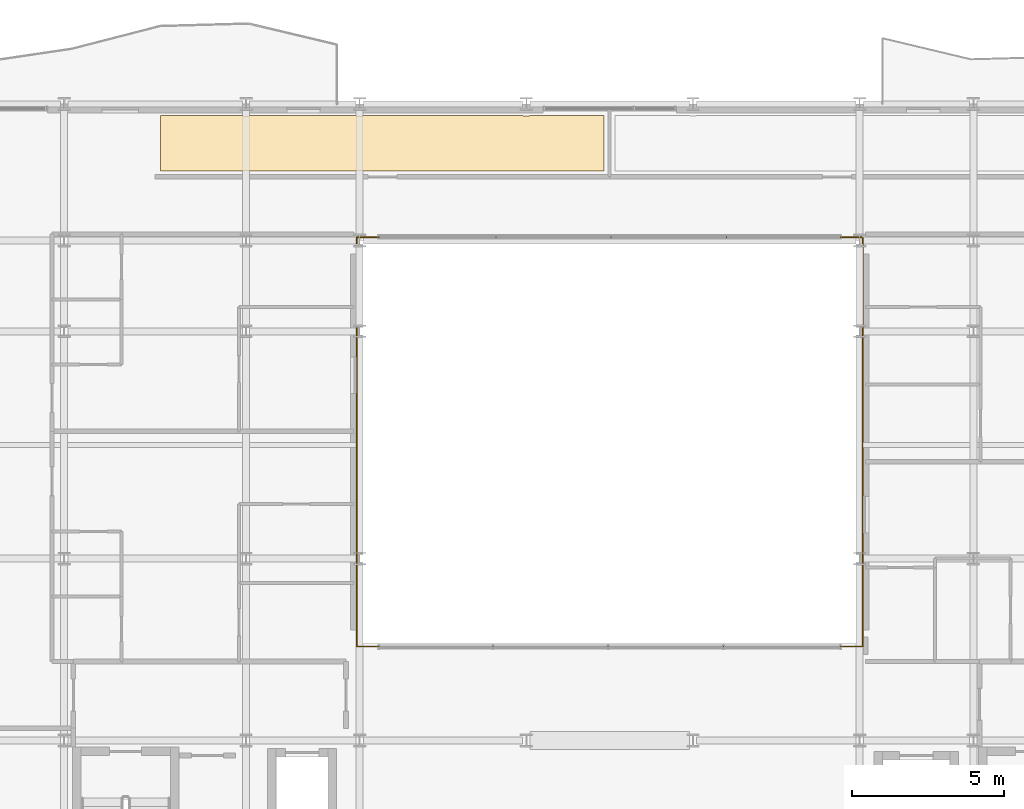
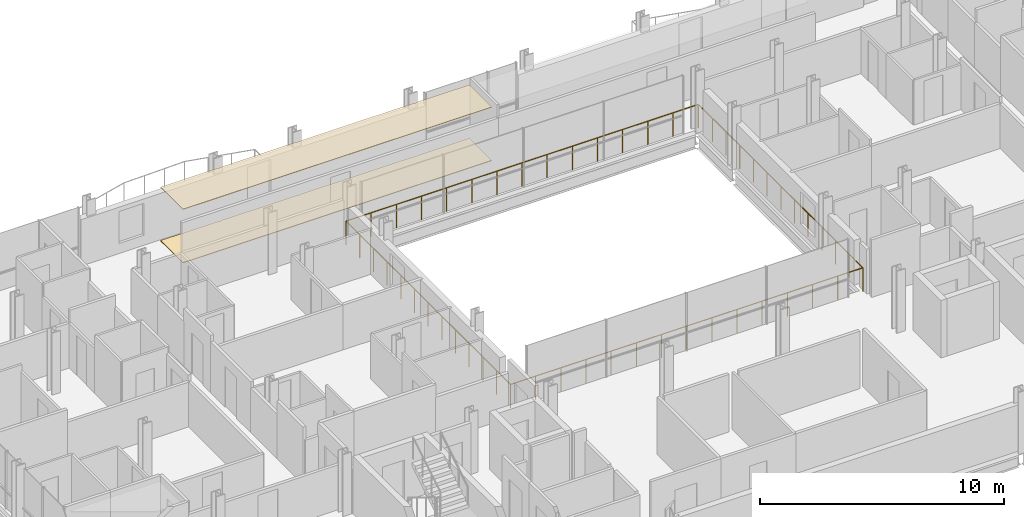
# One storey, part 39 of 41: 2 coverings, 2 railings.
"""IFC4 building model written with IfcOpenShell, lengths in metres."""

from ifc_helpers import new_model, si_unit, direction, frame, origin, origin_2d, place, context, subcontext, project, spatial, polyline, circle, outline, extrude, material, layer, layer_set, type_object, element, save


model = new_model("IFC4")

# Units and contexts
model_context = context("Model", 3, precision=1e-05, world=origin(), true_north=direction((0.0, 1.0)))
body_context = subcontext(model_context, "Body", "Model", "MODEL_VIEW")
ifc_project = project(units=[si_unit("LENGTHUNIT", "METRE"), si_unit("AREAUNIT", "SQUARE_METRE"), si_unit("VOLUMEUNIT", "CUBIC_METRE"), si_unit("PLANEANGLEUNIT", "RADIAN"), si_unit("MASSUNIT", "GRAM", prefix="KILO")], contexts=[model_context])

# Site, building, storey
site_placement = place(None, origin())
site = spatial("IfcSite", under=ifc_project, at=site_placement, CompositionType="ELEMENT")
building_placement = place(site_placement, origin())
building = spatial("IfcBuilding", under=site, at=building_placement, Name="Brevholm Reach", CompositionType="ELEMENT")
storey_placement = place(building_placement, frame((0.0, 0.0, 106.60009765625)))
storey = spatial("IfcBuildingStorey", under=building, at=storey_placement, Name="L31", CompositionType="ELEMENT", Elevation=106.60009765625)

# Coverings
ifc_material_1 = material(Name="Moisture-Resistant Skimmed Gypsum Plasterboard Ceiling", Category="gypsum")
ifc_layer_1 = layer(ifc_material_1, 0.030029296875)
ifc_layer_set_1 = layer_set([ifc_layer_1], Name="Moisture-Resistant Skimmed Gypsum Plasterboard Ceiling")
covering_type_1 = type_object("IfcCoveringType", Name="COV-CLG-GYP", PredefinedType="CEILING", material=ifc_layer_set_1)
covering_1_placement = place(storey_placement, frame((0.0, 0.0, 2.679931640625)))
element("IfcCovering", 1, at=covering_1_placement, inside=storey, type_object=covering_type_1, Name="L31 Suspended Ceiling L31-80", PredefinedType="CEILING", context=body_context, shape_type="SweptSolid", body=[
    extrude(outline(polyline([(15.179931640625, 30.6201171875), (17.876220703125, 30.6201171875), (17.8837890625, 30.6171875), (17.922119140625, 30.607666015625), (17.960693359375, 30.601806640625), (18.0, 30.60009765625), (18.039306640625, 30.601806640625), (18.077880859375, 30.607666015625), (18.1162109375, 30.6171875), (18.123779296875, 30.6201171875), (21.626220703125, 30.6201171875), (21.6337890625, 30.6171875), (21.672119140625, 30.607666015625), (21.710693359375, 30.601806640625), (21.75, 30.60009765625), (21.789306640625, 30.601806640625), (21.827880859375, 30.607666015625), (21.8662109375, 30.6171875), (21.873779296875, 30.6201171875), (27.126220703125, 30.6201171875), (27.1337890625, 30.6171875), (27.172119140625, 30.607666015625), (27.210693359375, 30.601806640625), (27.25, 30.60009765625), (27.289306640625, 30.601806640625), (27.327880859375, 30.607666015625), (27.3662109375, 30.6171875), (27.373779296875, 30.6201171875), (29.820068359375, 30.6201171875), (29.820068359375, 28.783935546875), (15.179931640625, 28.783935546875), (15.179931640625, 30.6201171875)])), origin(), (0.0, 0.0, 1.0), 0.030029296875),
])
ifc_material_2 = material(Name="Honed Portland-Aggregate Resin Terrazzo Flooring", Category="concrete")
ifc_layer_2 = layer(ifc_material_2, 0.031982421875)
ifc_layer_set_2 = layer_set([ifc_layer_2], Name="Honed Portland-Aggregate Resin Terrazzo Flooring")
covering_type_2 = type_object("IfcCoveringType", Name="COV-FLR-TRZ", PredefinedType="FLOORING", material=ifc_layer_set_2)
covering_2_placement = place(storey_placement, origin())
element("IfcCovering", 2, at=covering_2_placement, inside=storey, type_object=covering_type_2, Name="L31 Floor Finish L31-80", PredefinedType="FLOORING", context=body_context, shape_type="SweptSolid", body=[
    extrude(outline(polyline([(15.179931640625, 30.6201171875), (17.876220703125, 30.6201171875), (17.8837890625, 30.6171875), (17.922119140625, 30.607666015625), (17.960693359375, 30.601806640625), (18.0, 30.60009765625), (18.039306640625, 30.601806640625), (18.077880859375, 30.607666015625), (18.1162109375, 30.6171875), (18.123779296875, 30.6201171875), (21.626220703125, 30.6201171875), (21.6337890625, 30.6171875), (21.672119140625, 30.607666015625), (21.710693359375, 30.601806640625), (21.75, 30.60009765625), (21.789306640625, 30.601806640625), (21.827880859375, 30.607666015625), (21.8662109375, 30.6171875), (21.873779296875, 30.6201171875), (27.126220703125, 30.6201171875), (27.1337890625, 30.6171875), (27.172119140625, 30.607666015625), (27.210693359375, 30.601806640625), (27.25, 30.60009765625), (27.289306640625, 30.601806640625), (27.327880859375, 30.607666015625), (27.3662109375, 30.6171875), (27.373779296875, 30.6201171875), (29.820068359375, 30.6201171875), (29.820068359375, 28.783935546875), (15.179931640625, 28.783935546875), (15.179931640625, 30.6201171875)])), origin(), (0.0, 0.0, 1.0), 0.031982421875),
])

# Railings
ifc_material_3 = material(Name="Brushed Stainless Steel EN 1.4401 and Laminated Glass", Category="steel")
railing_type = type_object("IfcRailingType", Name="RAL-TERR-1200", PredefinedType="BALUSTRADE", material=ifc_material_3)
railing_1_placement = place(storey_placement, frame((21.64990234375, 13.10009765625, 0.0)))
element("IfcRailing", 3, at=railing_1_placement, inside=storey, type_object=railing_type, Name="L31 Guard Balustrade RAL-L31-AT-VOID-SW", PredefinedType="BALUSTRADE", context=body_context, shape_type="SweptSolid", body=[
    extrude(circle(Radius=0.02392578125, at=origin_2d()), frame((0.0, 0.0, 1.17578125), z_axis=(1.0, 0.0, 0.0), x_axis=(0.0, 1.0, 0.0)), (0.0, 0.0, 1.0), 16.7001953125),
    extrude(circle(Radius=0.02392578125, at=origin_2d()), frame((16.7001953125, 0.0, 1.17578125), z_axis=(0.0, 1.0, 0.0), x_axis=(-1.0, 0.0, 0.0)), (0.0, 0.0, 1.0), 13.47998046875),
    extrude(circle(Radius=0.02099609375, at=origin_2d()), origin(), (0.0, 0.0, 1.0), 1.15185546875),
    extrude(circle(Radius=0.02099609375, at=origin_2d()), frame((1.19287109375, 0.0, 0.0)), (0.0, 0.0, 1.0), 1.15185546875),
    extrude(circle(Radius=0.02099609375, at=origin_2d()), frame((2.3857421875, 0.0, 0.0)), (0.0, 0.0, 1.0), 1.15185546875),
    extrude(circle(Radius=0.02099609375, at=origin_2d()), frame((3.57861328125, 0.0, 0.0)), (0.0, 0.0, 1.0), 1.15185546875),
    extrude(circle(Radius=0.02099609375, at=origin_2d()), frame((4.771484375, 0.0, 0.0)), (0.0, 0.0, 1.0), 1.15185546875),
    extrude(circle(Radius=0.02099609375, at=origin_2d()), frame((5.96435546875, 0.0, 0.0)), (0.0, 0.0, 1.0), 1.15185546875),
    extrude(circle(Radius=0.02099609375, at=origin_2d()), frame((7.1572265625, 0.0, 0.0)), (0.0, 0.0, 1.0), 1.15185546875),
    extrude(circle(Radius=0.02099609375, at=origin_2d()), frame((8.35009765625, 0.0, 0.0)), (0.0, 0.0, 1.0), 1.15185546875),
    extrude(circle(Radius=0.02099609375, at=origin_2d()), frame((9.54296875, 0.0, 0.0)), (0.0, 0.0, 1.0), 1.15185546875),
    extrude(circle(Radius=0.02099609375, at=origin_2d()), frame((10.73583984375, 0.0, 0.0)), (0.0, 0.0, 1.0), 1.15185546875),
    extrude(circle(Radius=0.02099609375, at=origin_2d()), frame((11.9287109375, 0.0, 0.0)), (0.0, 0.0, 1.0), 1.15185546875),
    extrude(circle(Radius=0.02099609375, at=origin_2d()), frame((13.12158203125, 0.0, 0.0)), (0.0, 0.0, 1.0), 1.15185546875),
    extrude(circle(Radius=0.02099609375, at=origin_2d()), frame((14.314453125, 0.0, 0.0)), (0.0, 0.0, 1.0), 1.15185546875),
    extrude(circle(Radius=0.02099609375, at=origin_2d()), frame((15.50732421875, 0.0, 0.0)), (0.0, 0.0, 1.0), 1.15185546875),
    extrude(circle(Radius=0.02099609375, at=origin_2d()), frame((16.7001953125, 0.0, 0.0)), (0.0, 0.0, 1.0), 1.15185546875),
    extrude(circle(Radius=0.02099609375, at=origin_2d()), frame((16.7001953125, 1.123291015625, 0.0)), (0.0, 0.0, 1.0), 1.15185546875),
    extrude(circle(Radius=0.02099609375, at=origin_2d()), frame((16.7001953125, 2.24658203125, 0.0)), (0.0, 0.0, 1.0), 1.15185546875),
    extrude(circle(Radius=0.02099609375, at=origin_2d()), frame((16.7001953125, 3.3701171875, 0.0)), (0.0, 0.0, 1.0), 1.15185546875),
    extrude(circle(Radius=0.02099609375, at=origin_2d()), frame((16.7001953125, 4.493408203125, 0.0)), (0.0, 0.0, 1.0), 1.15185546875),
    extrude(circle(Radius=0.02099609375, at=origin_2d()), frame((16.7001953125, 5.61669921875, 0.0)), (0.0, 0.0, 1.0), 1.15185546875),
    extrude(circle(Radius=0.02099609375, at=origin_2d()), frame((16.7001953125, 6.739990234375, 0.0)), (0.0, 0.0, 1.0), 1.15185546875),
    extrude(circle(Radius=0.02099609375, at=origin_2d()), frame((16.7001953125, 7.86328125, 0.0)), (0.0, 0.0, 1.0), 1.15185546875),
    extrude(circle(Radius=0.02099609375, at=origin_2d()), frame((16.7001953125, 8.986572265625, 0.0)), (0.0, 0.0, 1.0), 1.15185546875),
    extrude(circle(Radius=0.02099609375, at=origin_2d()), frame((16.7001953125, 10.10986328125, 0.0)), (0.0, 0.0, 1.0), 1.15185546875),
    extrude(circle(Radius=0.02099609375, at=origin_2d()), frame((16.7001953125, 11.2333984375, 0.0)), (0.0, 0.0, 1.0), 1.15185546875),
    extrude(circle(Radius=0.02099609375, at=origin_2d()), frame((16.7001953125, 12.356689453125, 0.0)), (0.0, 0.0, 1.0), 1.15185546875),
    extrude(circle(Radius=0.02099609375, at=origin_2d()), frame((16.7001953125, 13.47998046875, 0.0)), (0.0, 0.0, 1.0), 1.15185546875),
])
railing_2_placement = place(storey_placement, frame((38.330078125, 26.60009765625, 0.0)))
element("IfcRailing", 4, at=railing_2_placement, inside=storey, type_object=railing_type, Name="L31 Guard Balustrade RAL-L31-AT-VOID-NE", PredefinedType="BALUSTRADE", context=body_context, shape_type="SweptSolid", body=[
    extrude(circle(Radius=0.02392578125, at=origin_2d()), frame((0.0, 0.0, 1.17578125), z_axis=(-1.0, 0.0, 0.0), x_axis=(0.0, -1.0, 0.0)), (0.0, 0.0, 1.0), 16.68017578125),
    extrude(circle(Radius=0.02392578125, at=origin_2d()), frame((-16.68017578125, 0.0, 1.17578125), z_axis=(0.0, -1.0, 0.0), x_axis=(1.0, 0.0, 0.0)), (0.0, 0.0, 1.0), 13.47998046875),
    extrude(circle(Radius=0.02099609375, at=origin_2d()), origin(), (0.0, 0.0, 1.0), 1.15185546875),
    extrude(circle(Radius=0.02099609375, at=origin_2d()), frame((-1.19140625, 0.0, 0.0)), (0.0, 0.0, 1.0), 1.15185546875),
    extrude(circle(Radius=0.02099609375, at=origin_2d()), frame((-2.3828125, 0.0, 0.0)), (0.0, 0.0, 1.0), 1.15185546875),
    extrude(circle(Radius=0.02099609375, at=origin_2d()), frame((-3.57421875, 0.0, 0.0)), (0.0, 0.0, 1.0), 1.15185546875),
    extrude(circle(Radius=0.02099609375, at=origin_2d()), frame((-4.765869140625, 0.0, 0.0)), (0.0, 0.0, 1.0), 1.15185546875),
    extrude(circle(Radius=0.02099609375, at=origin_2d()), frame((-5.957275390625, 0.0, 0.0)), (0.0, 0.0, 1.0), 1.15185546875),
    extrude(circle(Radius=0.02099609375, at=origin_2d()), frame((-7.148681640625, 0.0, 0.0)), (0.0, 0.0, 1.0), 1.15185546875),
    extrude(circle(Radius=0.02099609375, at=origin_2d()), frame((-8.340087890625, 0.0, 0.0)), (0.0, 0.0, 1.0), 1.15185546875),
    extrude(circle(Radius=0.02099609375, at=origin_2d()), frame((-9.531494140625, 0.0, 0.0)), (0.0, 0.0, 1.0), 1.15185546875),
    extrude(circle(Radius=0.02099609375, at=origin_2d()), frame((-10.722900390625, 0.0, 0.0)), (0.0, 0.0, 1.0), 1.15185546875),
    extrude(circle(Radius=0.02099609375, at=origin_2d()), frame((-11.914306640625, 0.0, 0.0)), (0.0, 0.0, 1.0), 1.15185546875),
    extrude(circle(Radius=0.02099609375, at=origin_2d()), frame((-13.10595703125, 0.0, 0.0)), (0.0, 0.0, 1.0), 1.15185546875),
    extrude(circle(Radius=0.02099609375, at=origin_2d()), frame((-14.29736328125, 0.0, 0.0)), (0.0, 0.0, 1.0), 1.15185546875),
    extrude(circle(Radius=0.02099609375, at=origin_2d()), frame((-15.48876953125, 0.0, 0.0)), (0.0, 0.0, 1.0), 1.15185546875),
    extrude(circle(Radius=0.02099609375, at=origin_2d()), frame((-16.68017578125, 0.0, 0.0)), (0.0, 0.0, 1.0), 1.15185546875),
    extrude(circle(Radius=0.02099609375, at=origin_2d()), frame((-16.68017578125, -1.123291015625, 0.0)), (0.0, 0.0, 1.0), 1.15185546875),
    extrude(circle(Radius=0.02099609375, at=origin_2d()), frame((-16.68017578125, -2.24658203125, 0.0)), (0.0, 0.0, 1.0), 1.15185546875),
    extrude(circle(Radius=0.02099609375, at=origin_2d()), frame((-16.68017578125, -3.3701171875, 0.0)), (0.0, 0.0, 1.0), 1.15185546875),
    extrude(circle(Radius=0.02099609375, at=origin_2d()), frame((-16.68017578125, -4.493408203125, 0.0)), (0.0, 0.0, 1.0), 1.15185546875),
    extrude(circle(Radius=0.02099609375, at=origin_2d()), frame((-16.68017578125, -5.61669921875, 0.0)), (0.0, 0.0, 1.0), 1.15185546875),
    extrude(circle(Radius=0.02099609375, at=origin_2d()), frame((-16.68017578125, -6.739990234375, 0.0)), (0.0, 0.0, 1.0), 1.15185546875),
    extrude(circle(Radius=0.02099609375, at=origin_2d()), frame((-16.68017578125, -7.86328125, 0.0)), (0.0, 0.0, 1.0), 1.15185546875),
    extrude(circle(Radius=0.02099609375, at=origin_2d()), frame((-16.68017578125, -8.986572265625, 0.0)), (0.0, 0.0, 1.0), 1.15185546875),
    extrude(circle(Radius=0.02099609375, at=origin_2d()), frame((-16.68017578125, -10.10986328125, 0.0)), (0.0, 0.0, 1.0), 1.15185546875),
    extrude(circle(Radius=0.02099609375, at=origin_2d()), frame((-16.68017578125, -11.2333984375, 0.0)), (0.0, 0.0, 1.0), 1.15185546875),
    extrude(circle(Radius=0.02099609375, at=origin_2d()), frame((-16.68017578125, -12.356689453125, 0.0)), (0.0, 0.0, 1.0), 1.15185546875),
    extrude(circle(Radius=0.02099609375, at=origin_2d()), frame((-16.68017578125, -13.47998046875, 0.0)), (0.0, 0.0, 1.0), 1.15185546875),
])

save(model, "model.ifc")
